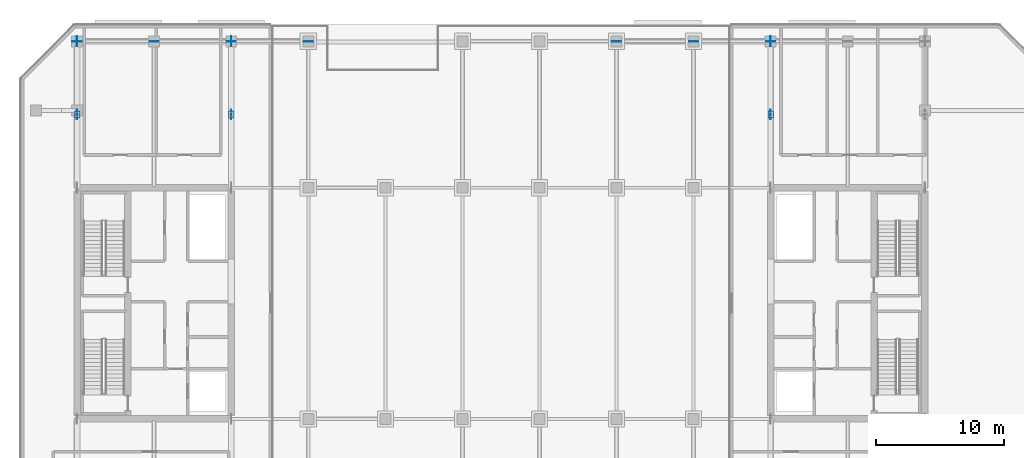
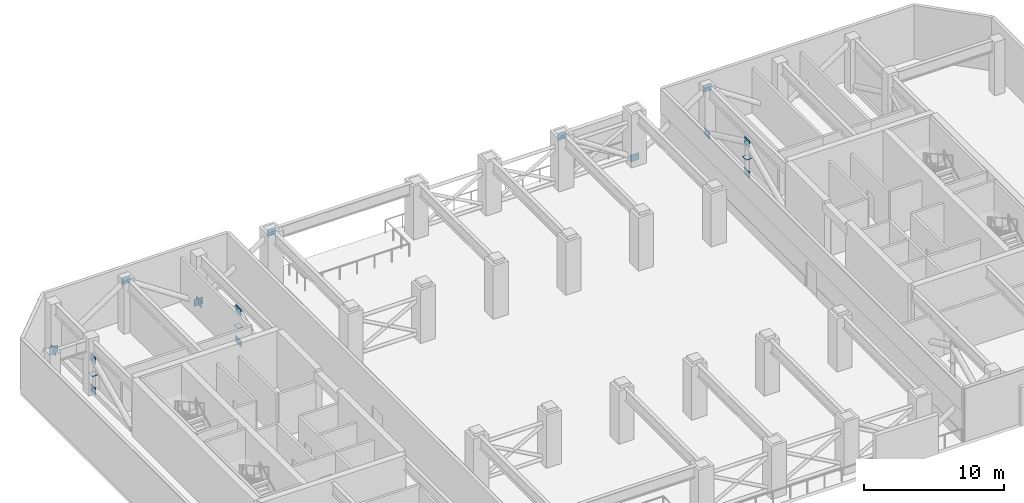
# One storey, part 9 of 18: 19 plates.
"""IFC4 building model written with IfcOpenShell, lengths in metres."""

from ifc_helpers import new_model, si_unit, direction, frame, origin, origin_2d, place, context, subcontext, project, spatial, rectangle, extrude, material, layer, layer_set, type_object, element, save


model = new_model("IFC4")

# Units and contexts
model_context = context("Model", 3, precision=1e-05, world=origin(), true_north=direction((0.0, 1.0)))
body_context = subcontext(model_context, "Body", "Model", "MODEL_VIEW")
ifc_project = project(units=[si_unit("LENGTHUNIT", "METRE"), si_unit("AREAUNIT", "SQUARE_METRE"), si_unit("VOLUMEUNIT", "CUBIC_METRE"), si_unit("PLANEANGLEUNIT", "RADIAN"), si_unit("MASSUNIT", "GRAM", prefix="KILO")], contexts=[model_context])

# Site, building, storey
site_placement = place(None, origin())
site = spatial("IfcSite", under=ifc_project, at=site_placement, CompositionType="ELEMENT")
building_placement = place(site_placement, origin())
building = spatial("IfcBuilding", under=site, at=building_placement, Name="Tanjung Sevakor Pilgrim Tower", CompositionType="ELEMENT")
storey_placement = place(building_placement, frame((0.0, 0.0, 172.919921875)))
storey = spatial("IfcBuildingStorey", under=building, at=storey_placement, Name="L48", CompositionType="ELEMENT", Elevation=172.919921875)

# Plates
ifc_material_1 = material(Name="Steel S460M", Category="steel")
ifc_layer_1 = layer(ifc_material_1, 0.028076171875)
ifc_layer_set_1 = layer_set([ifc_layer_1], Name="PL-CAP-28")
plate_type_1 = type_object("IfcPlateType", Name="PL-CAP-28", PredefinedType="USERDEFINED", material=ifc_layer_set_1)
for number, where, z_axis, x_axis, name in (
    (1, (24.0, 48.300048828125, 1.68115234375), (0.0, 0.0, 1.0), (1.0, 0.0, 0.0), "L48 Hollow End Cap Plate 018"),
    (2, (36.0, 48.300048828125, 1.68115234375), (0.0, 0.0, 1.0), (1.0, 0.0, 0.0), "L48 Hollow End Cap Plate 020"),
    (3, (78.0, 48.300048828125, 1.68115234375), (0.0, 0.0, 1.0), (1.0, 0.0, 0.0), "L48 Hollow End Cap Plate 022"),
):
    element("IfcPlate", number, at=place(storey_placement, frame(where, z_axis=z_axis, x_axis=x_axis)), inside=storey, type_object=plate_type_1, Name=name, ObjectType="CAP PLATE", PredefinedType="USERDEFINED", context=body_context, shape_type="SweptSolid", body=[
        extrude(rectangle(XDim=0.43994140625, YDim=0.56005859375, at=origin_2d()), origin(), (0.0, 0.0, 1.0), 0.028076171875),
    ])
ifc_material_2 = material(Name="Steel S460M", Category="steel")
ifc_layer_2 = layer(ifc_material_2, 0.031982421875)
ifc_layer_set_2 = layer_set([ifc_layer_2], Name="PL-GUSSET-32")
plate_type_2 = type_object("IfcPlateType", Name="PL-GUSSET-32", PredefinedType="USERDEFINED", material=ifc_layer_set_2)
for number, where, z_axis, x_axis, name in (
    (4, (24.0, 48.300048828125, 0.050048828125), (0.0, 0.0, 1.0), (1.0, 0.0, 0.0), "L48 Outrigger Gusset 106"),
    (5, (24.0, 54.0, 0.050048828125), (0.0, 0.0, 1.0), (1.0, 0.0, 0.0), "L48 Outrigger Gusset 107"),
    (6, (24.0, 48.300048828125, 2.739990234375), (0.0, 0.0, 1.0), (1.0, 0.0, 0.0), "L48 Outrigger Gusset 108"),
    (7, (36.0, 48.300048828125, 0.050048828125), (0.0, 0.0, 1.0), (1.0, 0.0, 0.0), "L48 Outrigger Gusset 114"),
    (8, (36.0, 54.0, 0.050048828125), (0.0, 0.0, 1.0), (1.0, 0.0, 0.0), "L48 Outrigger Gusset 115"),
    (9, (36.0, 48.300048828125, 2.739990234375), (0.0, 0.0, 1.0), (1.0, 0.0, 0.0), "L48 Outrigger Gusset 116"),
    (10, (78.0, 48.300048828125, 0.050048828125), (0.0, 0.0, 1.0), (1.0, 0.0, 0.0), "L48 Outrigger Gusset 122"),
    (11, (78.0, 54.0, 0.050048828125), (0.0, 0.0, 1.0), (1.0, 0.0, 0.0), "L48 Outrigger Gusset 123"),
    (12, (78.0, 48.300048828125, 2.739990234375), (0.0, 0.0, 1.0), (1.0, 0.0, 0.0), "L48 Outrigger Gusset 124"),
):
    element("IfcPlate", number, at=place(storey_placement, frame(where, z_axis=z_axis, x_axis=x_axis)), inside=storey, type_object=plate_type_2, Name=name, ObjectType="GUSSET PLATE", PredefinedType="USERDEFINED", context=body_context, shape_type="SweptSolid", body=[
        extrude(rectangle(XDim=0.031982421875, YDim=0.760009765625, at=origin_2d()), origin(), (0.0, 0.0, 1.0), 0.60009765625),
    ])
for number, where, z_axis, x_axis, name in (
    (13, (24.0, 54.0, 0.050048828125), (0.0, 0.0, 1.0), (1.0, 0.0, 0.0), "L48 Belt Truss Node Gusset 142"),
    (14, (30.0, 54.0, 4.0361328125), (0.0, 0.0, 1.0), (1.0, 0.0, 0.0), "L48 Belt Truss Node Gusset 143"),
    (15, (36.0, 54.0, 0.050048828125), (0.0, 0.0, 1.0), (1.0, 0.0, 0.0), "L48 Belt Truss Node Gusset 144"),
    (16, (42.0, 54.0, 4.0361328125), (0.0, 0.0, 1.0), (1.0, 0.0, 0.0), "L48 Belt Truss Node Gusset 145"),
    (17, (66.0, 54.0, 4.0361328125), (0.0, 0.0, 1.0), (1.0, 0.0, 0.0), "L48 Belt Truss Node Gusset 146"),
    (18, (72.0, 54.0, 0.050048828125), (0.0, 0.0, 1.0), (1.0, 0.0, 0.0), "L48 Belt Truss Node Gusset 147"),
    (19, (78.0, 54.0, 4.0361328125), (0.0, 0.0, 1.0), (1.0, 0.0, 0.0), "L48 Belt Truss Node Gusset 148"),
):
    element("IfcPlate", number, at=place(storey_placement, frame(where, z_axis=z_axis, x_axis=x_axis)), inside=storey, type_object=plate_type_2, Name=name, ObjectType="GUSSET PLATE", PredefinedType="USERDEFINED", context=body_context, shape_type="SweptSolid", body=[
        extrude(rectangle(XDim=0.719970703125, YDim=0.031982421875, at=origin_2d()), origin(), (0.0, 0.0, 1.0), 0.60009765625),
    ])

save(model, "model.ifc")
